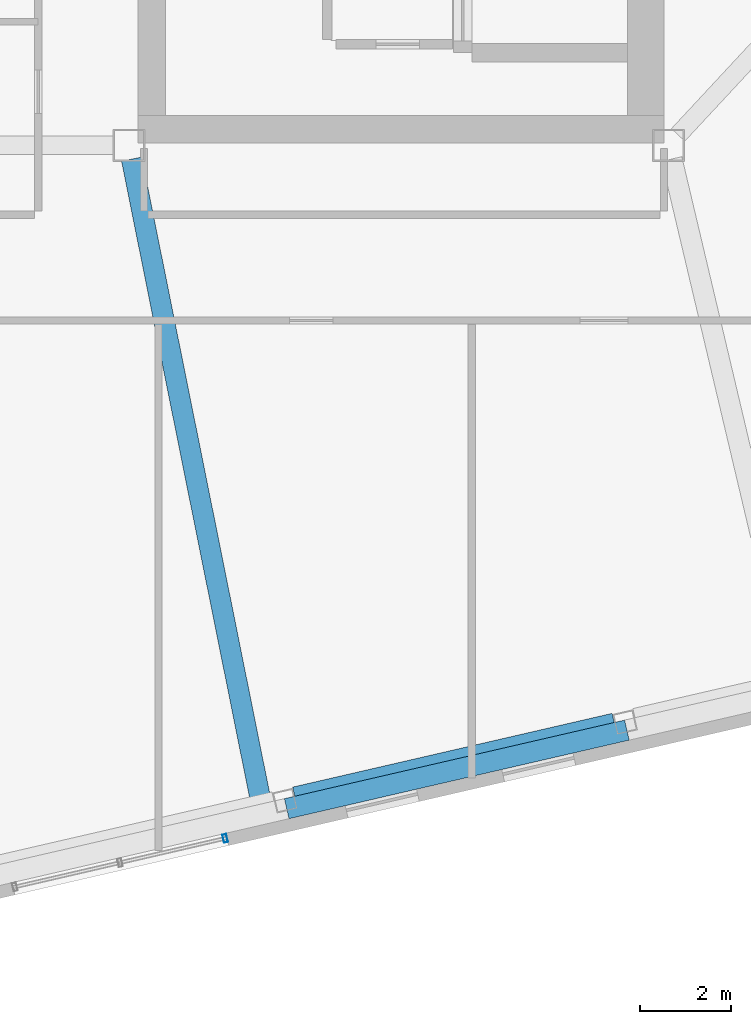
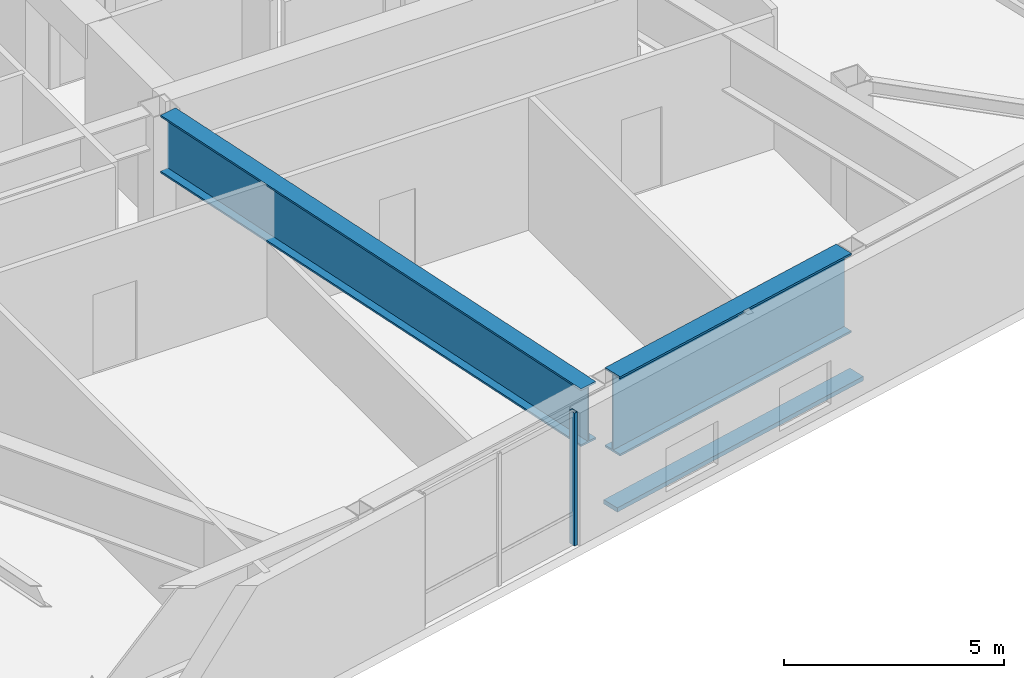
# One storey, part 10 of 23: 2 beams, 2 members, 1 element without a shape of its own.
"""IFC4 building model written with IfcOpenShell, lengths in metres."""

from ifc_helpers import new_model, si_unit, direction, frame, origin, origin_2d, place, context, subcontext, project, spatial, rectangle, hollow_rectangle, i_section, extrude, material, layer, layer_set, material_profile, profile_set, type_object, element, aggregate, save


model = new_model("IFC4")

# Units and contexts
model_context = context("Model", 3, precision=1e-05, world=origin(), true_north=direction((0.0, 1.0)))
body_context = subcontext(model_context, "Body", "Model", "MODEL_VIEW")
ifc_project = project(units=[si_unit("LENGTHUNIT", "METRE"), si_unit("AREAUNIT", "SQUARE_METRE"), si_unit("VOLUMEUNIT", "CUBIC_METRE"), si_unit("PLANEANGLEUNIT", "RADIAN"), si_unit("MASSUNIT", "GRAM", prefix="KILO")], contexts=[model_context])

# Site, building, storey
site_placement = place(None, origin())
site = spatial("IfcSite", under=ifc_project, at=site_placement, CompositionType="ELEMENT")
building_placement = place(site_placement, origin())
building = spatial("IfcBuilding", under=site, at=building_placement, Name="Tavrogorsk Clinical Tower", CompositionType="ELEMENT")
storey_placement = place(building_placement, frame((0.0, 0.0, 329.0)))
storey = spatial("IfcBuildingStorey", under=building, at=storey_placement, Name="L77", CompositionType="ELEMENT", Elevation=329.0)

# Member
ifc_material_1 = material(Name="Anodised aluminium alloy AW-6063", Category="aluminium")
ifc_material_profile_1 = material_profile(ifc_material_1, rectangle(XDim=0.449951171875, YDim=0.1201171875, at=origin_2d()), Name="ALU-SUNSHADE-450x120")
ifc_profile_set_1 = profile_set([ifc_material_profile_1], Name="Anodised aluminium alloy AW-6063")
member_type_1 = type_object("IfcMemberType", Name="ChicagoSunshade_450x120", PredefinedType="USERDEFINED", material=ifc_profile_set_1)
member_1_placement = place(storey_placement, frame((13.751708984375, -20.85498046875, 0.179931640625), z_axis=(0.974372328168, 0.224941250331, 0.0), x_axis=(-0.224941250331, 0.974372328168, 0.0)))
element("IfcMember", 1, at=member_1_placement, inside=storey, type_object=member_type_1, Name="L77 South Aluminium Sunshade S6", ObjectType="SUNSHADE", PredefinedType="USERDEFINED", context=body_context, shape_type="SweptSolid", body=[
    extrude(rectangle(XDim=0.449951171875, YDim=0.1201171875, at=origin_2d()), origin(), (0.0, 0.0, 1.0), 7.63427734375),
])

# Curtain wall, member
ifc_material_2 = material(Name="Anodised aluminium and triple IGU glazing", Category="aluminium")
ifc_layer = layer(ifc_material_2, 0.179931640625)
ifc_layer_set = layer_set([ifc_layer], Name="Anodised aluminium and triple IGU glazing")
curtain_wall_type = type_object("IfcCurtainWallType", Name="CW3_SouthSlot", PredefinedType="NOTDEFINED", material=ifc_layer_set)
curtain_wall_placement = place(storey_placement, origin())
curtain_wall = element("IfcCurtainWall", 2, at=curtain_wall_placement, inside=storey, type_object=curtain_wall_type, Name="L77 Curtain Wall CW-L77-S-SLOT-2", PredefinedType="NOTDEFINED")
ifc_material_3 = material(Name="Anodised aluminium alloy AW-6060", Category="aluminium")
ifc_material_profile_2 = material_profile(ifc_material_3, hollow_rectangle(XDim=0.090087890625, YDim=0.179931640625, WallThickness=0.00634765625, at=origin_2d()), Name="RHS-180x90x6.3")
ifc_profile_set_2 = profile_set([ifc_material_profile_2], Name="Anodised aluminium alloy AW-6060")
member_type_2 = type_object("IfcMemberType", Name="CwMullion_180x90", PredefinedType="MULLION", material=ifc_profile_set_2)
member_2_placement = place(storey_placement, frame((12.4052734375, -21.504638671875, 0.0), z_axis=(0.0, 0.0, 1.0), x_axis=(0.974370057377, 0.224951086434, 0.0)))
member_2 = element("IfcMember", 3, at=member_2_placement, type_object=member_type_2, Name="CW-L77-S-SLOT-2 Mullion 3", PredefinedType="MULLION", context=body_context, shape_type="SweptSolid", body=[
    extrude(hollow_rectangle(XDim=0.090087890625, YDim=0.179931640625, WallThickness=0.00634765625, at=origin_2d()), origin(), (0.0, 0.0, 1.0), 3.679931640625),
])
aggregate(curtain_wall, [member_2])

# Beams
ifc_material_4 = material(Name="Structural steel S440", Category="steel")
ifc_material_profile_3 = material_profile(ifc_material_4, i_section(OverallWidth=0.449951171875, OverallDepth=1.60009765625, WebThickness=0.031982421875, FlangeThickness=0.050048828125, at=origin_2d()), Name="DK-1600x450x32x50")
ifc_profile_set_3 = profile_set([ifc_material_profile_3], Name="Structural steel S440")
beam_type_1 = type_object("IfcBeamType", Name="TransferGirder_DK1600", PredefinedType="USERDEFINED", material=ifc_profile_set_3)
beam_1_placement = place(storey_placement, frame((10.361083984375, -6.65380859375, 2.8798828125), z_axis=(0.197232341384, -0.980356773584, 0.0), x_axis=(0.980356773584, 0.197232341384, 0.0)))
element("IfcBeam", 4, at=beam_1_placement, inside=storey, type_object=beam_type_1, Name="L78 Crown Base Transfer Girder 07", ObjectType="GIRDER", PredefinedType="USERDEFINED", context=body_context, shape_type="SweptSolid", body=[
    extrude(i_section(OverallWidth=0.449951171875, OverallDepth=1.60009765625, WebThickness=0.031982421875, FlangeThickness=0.050048828125, at=origin_2d()), origin(), (0.0, 0.0, 1.0), 14.42578125),
])
ifc_material_5 = material(Name="Structural steel S440", Category="steel")
ifc_material_profile_4 = material_profile(ifc_material_5, i_section(OverallWidth=0.5, OverallDepth=2.199951171875, WebThickness=0.035888671875, FlangeThickness=0.054931640625, at=origin_2d()), Name="DK-2200x500x36x55")
ifc_profile_set_4 = profile_set([ifc_material_profile_4], Name="Structural steel S440")
beam_type_2 = type_object("IfcBeamType", Name="TransferGirder_DK2200", PredefinedType="USERDEFINED", material=ifc_profile_set_4)
beam_2_placement = place(storey_placement, frame((13.938232421875, -20.627197265625, 2.580078125), z_axis=(0.974369378592, 0.224954026551, 0.0), x_axis=(-0.224954026551, 0.974369378592, 0.0)))
element("IfcBeam", 5, at=beam_2_placement, inside=storey, type_object=beam_type_2, Name="L77 Perimeter Spandrel S6-S7", ObjectType="GIRDER", PredefinedType="USERDEFINED", context=body_context, shape_type="SweptSolid", body=[
    extrude(i_section(OverallWidth=0.5, OverallDepth=2.199951171875, WebThickness=0.035888671875, FlangeThickness=0.054931640625, at=origin_2d()), origin(), (0.0, 0.0, 1.0), 7.16845703125),
])

save(model, "model.ifc")
